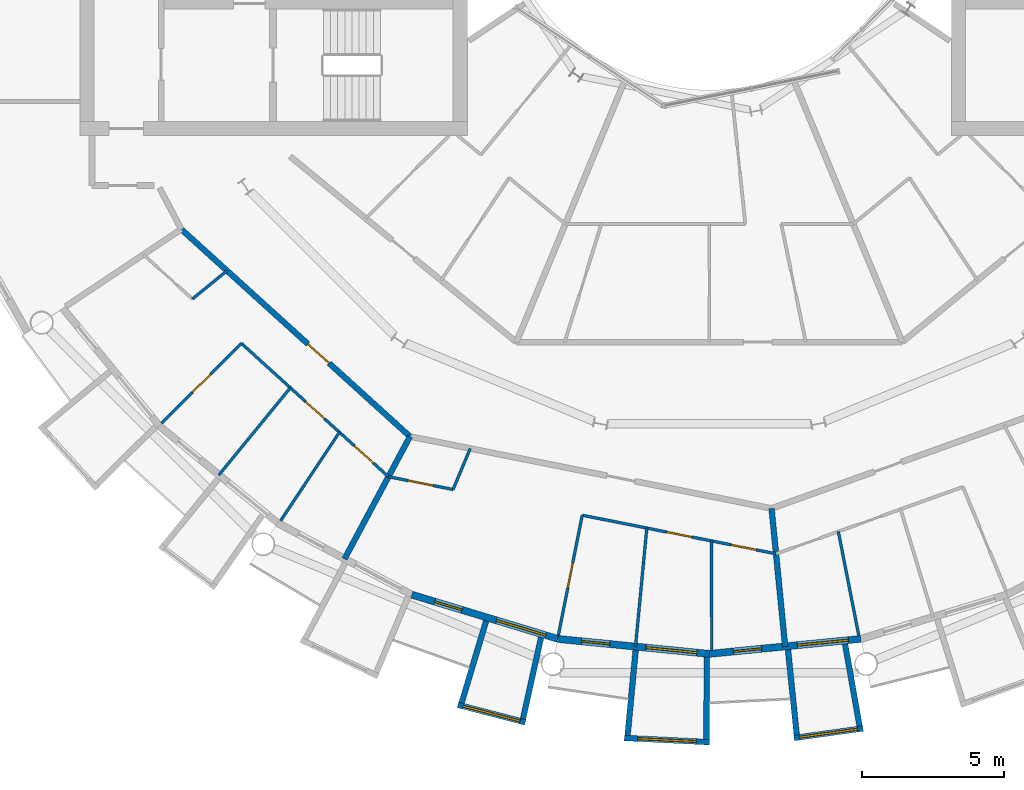
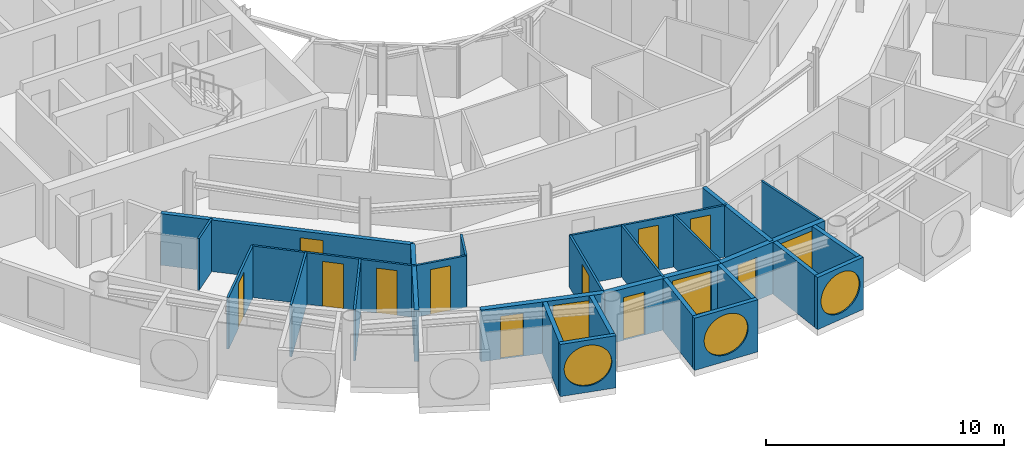
# One storey, part 14 of 26: 27 walls, 11 doors, 6 windows, 17 openings.
"""IFC4 building model written with IfcOpenShell, lengths in metres."""

from ifc_helpers import new_model, si_unit, direction, frame, frame_2d, origin, place, context, subcontext, project, spatial, rectangle, circle, extrude, material, layer, layer_set, type_object, element, fill, save


model = new_model("IFC4")

# Units and contexts
model_context = context("Model", 3, precision=1e-05, world=origin(), true_north=direction((0.0, 1.0)))
body_context = subcontext(model_context, "Body", "Model", "MODEL_VIEW")
ifc_project = project(units=[si_unit("LENGTHUNIT", "METRE"), si_unit("AREAUNIT", "SQUARE_METRE"), si_unit("VOLUMEUNIT", "CUBIC_METRE"), si_unit("PLANEANGLEUNIT", "RADIAN"), si_unit("MASSUNIT", "GRAM", prefix="KILO")], contexts=[model_context])

# Site, building, storey
site_placement = place(None, origin())
site = spatial("IfcSite", under=ifc_project, at=site_placement, CompositionType="ELEMENT")
building_placement = place(site_placement, origin())
building = spatial("IfcBuilding", under=site, at=building_placement, Name="Maasbend Ring Residences", CompositionType="ELEMENT")
storey_placement = place(building_placement, frame((0.0, 0.0, 176.85009765625)))
storey = spatial("IfcBuildingStorey", under=building, at=storey_placement, Name="L51", CompositionType="ELEMENT", Elevation=176.85009765625)

# Wall, opening, door
ifc_material_1 = material(Name="Concrete C30/37", Category="concrete")
ifc_layer_1 = layer(ifc_material_1, 0.199951171875)
ifc_layer_set_1 = layer_set([ifc_layer_1], Name="Concrete C30/37")
wall_type_1 = type_object("IfcWallType", Name="CORRIDOR WALL 200 CONCRETE", PredefinedType="PARTITIONING", material=ifc_layer_set_1)
wall_1_placement = place(storey_placement, frame((-18.5419921875, -12.388916015625, 0.0), z_axis=(0.0, 0.0, 1.0), x_axis=(0.740947367223, -0.671563101283, 0.0)))
wall_1 = element("IfcWall", 1, at=wall_1_placement, inside=storey, type_object=wall_type_1, Name="U-L51-w014", PredefinedType="PARTITIONING", context=body_context, shape_type="SweptSolid", body=[
    extrude(rectangle(XDim=10.83740234375, YDim=0.199951171875, at=frame_2d((5.418701171875, 0.0))), origin(), (0.0, 0.0, 1.0), 2.64990234375),
])
opening_1_placement = place(wall_1_placement, frame((6.001953125, 0.0, 0.0)))
opening_1 = element("IfcOpeningElement", 2, at=opening_1_placement, cuts=wall_1, Name="Opening D-5133", PredefinedType="OPENING", context=body_context, shape_type="SweptSolid", body=[
    extrude(rectangle(XDim=1.0, YDim=2.300048828125, at=frame_2d((0.5, 1.14990234375))), frame((0.0, 0.10986328125, 0.0), z_axis=(0.0, -1.0, 0.0), x_axis=(1.0, 0.0, 0.0)), (0.0, 0.0, 1.0), 0.219970703125),
])
ifc_material_2 = material(Name="Timber, fire-rated, painted", Category="wood")
door_type_1 = type_object("IfcDoorType", Name="FLAT ENTRANCE DOOR 1000 X 2300 FIRE-RATED", OperationType="NOTDEFINED", PredefinedType="DOOR", material=ifc_material_2)
door_1_placement = place(opening_1_placement, origin())
door_1 = element("IfcDoor", 3, at=door_1_placement, inside=storey, type_object=door_type_1, Name="D-5133", OperationType="SINGLE_SWING_RIGHT", OverallHeight=2.300048828125, OverallWidth=1.0, PredefinedType="DOOR", context=body_context, shape_type="SweptSolid", body=[
    extrude(rectangle(XDim=1.0, YDim=2.300048828125, at=frame_2d((0.5, 1.14990234375))), frame((0.0, 0.02490234375, 0.0), z_axis=(0.0, -1.0, 0.0), x_axis=(1.0, 0.0, 0.0)), (0.0, 0.0, 1.0), 0.050048828125),
])
fill(opening_1, door_1)

# Wall, opening, window
ifc_material_3 = material(Name="Pale anodised aluminium panel", Category="aluminium")
ifc_layer_2 = layer(ifc_material_3, 0.199951171875)
ifc_layer_set_2 = layer_set([ifc_layer_2], Name="EW-BOX")
wall_type_2 = type_object("IfcWallType", Name="EW-BOX", PredefinedType="SOLIDWALL", material=ifc_layer_set_2)
wall_2_placement = place(storey_placement, frame((-8.8291015625, -29.090087890625, -0.030029296875), z_axis=(0.0, 0.0, 1.0), x_axis=(0.96789536872, -0.251353446784, 0.0)))
wall_2 = element("IfcWall", 4, at=wall_2_placement, inside=storey, type_object=wall_type_2, Name="Box front S08", PredefinedType="SOLIDWALL", context=body_context, shape_type="SweptSolid", body=[
    extrude(rectangle(XDim=2.44677734375, YDim=0.199951171875, at=frame_2d((1.223388671875, 0.0))), origin(), (0.0, 0.0, 1.0), 2.679931640625),
])
opening_2_placement = place(wall_2_placement, frame((0.182861328125, 0.0, 0.330078125)))
opening_2 = element("IfcOpeningElement", 5, at=opening_2_placement, cuts=wall_2, Name="Opening W-RD", PredefinedType="OPENING", context=body_context, shape_type="SweptSolid", body=[
    extrude(circle(Radius=1.0400390625, at=frame_2d((1.0400390625, 1.0400390625))), frame((0.0, 0.10986328125, 0.0), z_axis=(0.0, -1.0, 0.0), x_axis=(1.0, 0.0, 0.0)), (0.0, 0.0, 1.0), 0.219970703125),
])
ifc_material_4 = material(Name="Aluminium and clear glass", Category="aluminium")
window_type_1 = type_object("IfcWindowType", Name="W-RD", PartitioningType="SINGLE_PANEL", PredefinedType="WINDOW", material=ifc_material_4)
window_1_placement = place(opening_2_placement, origin())
window_1 = element("IfcWindow", 6, at=window_1_placement, inside=storey, type_object=window_type_1, Name="Round window S08", OverallHeight=2.080078125, OverallWidth=2.080078125, PartitioningType="SINGLE_PANEL", PredefinedType="WINDOW", context=body_context, shape_type="SweptSolid", body=[
    extrude(circle(Radius=1.0400390625, at=frame_2d((1.0400390625, 1.0400390625))), frame((0.0, 0.030029296875, 0.0), z_axis=(0.0, -1.0, 0.0), x_axis=(1.0, 0.0, 0.0)), (0.0, 0.0, 1.0), 0.06005859375),
])
fill(opening_2, window_1)

# Walls
wall_3_placement = place(storey_placement, frame((-7.8369140625, -26.14404296875, -0.030029296875), z_axis=(0.0, 0.0, 1.0), x_axis=(-0.287064767992, -0.957911174889, 0.0)))
element("IfcWall", 7, at=wall_3_placement, inside=storey, type_object=wall_type_2, Name="Box side wall S08 left", PredefinedType="SOLIDWALL", context=body_context, shape_type="SweptSolid", body=[
    extrude(rectangle(XDim=3.00634765625, YDim=0.199951171875, at=frame_2d((1.503173828125, 0.0))), origin(), (0.0, 0.0, 1.0), 2.679931640625),
])
wall_4_placement = place(storey_placement, frame((-5.908935546875, -26.72900390625, -0.030029296875), z_axis=(0.0, 0.0, 1.0), x_axis=(-0.216409053917, -0.976302781612, 0.0)))
element("IfcWall", 8, at=wall_4_placement, inside=storey, type_object=wall_type_2, Name="Box side wall S08 right", PredefinedType="SOLIDWALL", context=body_context, shape_type="SweptSolid", body=[
    extrude(rectangle(XDim=2.92529296875, YDim=0.199951171875, at=frame_2d((1.462646484375, 0.0))), origin(), (0.0, 0.0, 1.0), 2.679931640625),
])

# Wall, opening, window
wall_5_placement = place(storey_placement, frame((-2.985107421875, -30.2529296875, -0.030029296875), z_axis=(0.0, 0.0, 1.0), x_axis=(0.998794083011, -0.049095618353, 0.0)))
wall_5 = element("IfcWall", 9, at=wall_5_placement, inside=storey, type_object=wall_type_2, Name="Box front S10", PredefinedType="SOLIDWALL", context=body_context, shape_type="SweptSolid", body=[
    extrude(rectangle(XDim=2.99365234375, YDim=0.199951171875, at=frame_2d((1.496826171875, 0.0))), origin(), (0.0, 0.0, 1.0), 2.679931640625),
])
opening_3_placement = place(wall_5_placement, frame((0.45654296875, 0.0, 0.330078125)))
opening_3 = element("IfcOpeningElement", 10, at=opening_3_placement, cuts=wall_5, Name="Opening W-RD", PredefinedType="OPENING", context=body_context, shape_type="SweptSolid", body=[
    extrude(circle(Radius=1.0400390625, at=frame_2d((1.0400390625, 1.0400390625))), frame((0.0, 0.10986328125, 0.0), z_axis=(0.0, -1.0, 0.0), x_axis=(1.0, 0.0, 0.0)), (0.0, 0.0, 1.0), 0.219970703125),
])
window_2_placement = place(opening_3_placement, origin())
window_2 = element("IfcWindow", 11, at=window_2_placement, inside=storey, type_object=window_type_1, Name="Round window S10", OverallHeight=2.080078125, OverallWidth=2.080078125, PartitioningType="SINGLE_PANEL", PredefinedType="WINDOW", context=body_context, shape_type="SweptSolid", body=[
    extrude(circle(Radius=1.0400390625, at=frame_2d((1.0400390625, 1.0400390625))), frame((0.0, 0.030029296875, 0.0), z_axis=(0.0, -1.0, 0.0), x_axis=(1.0, 0.0, 0.0)), (0.0, 0.0, 1.0), 0.06005859375),
])
fill(opening_3, window_2)

# Walls
wall_6_placement = place(storey_placement, frame((-2.5859375, -27.1708984375, -0.030029296875), z_axis=(0.0, 0.0, 1.0), x_axis=(-0.094548432284, -0.995520262954, 0.0)))
element("IfcWall", 12, at=wall_6_placement, inside=storey, type_object=wall_type_2, Name="Box side wall S10 left", PredefinedType="SOLIDWALL", context=body_context, shape_type="SweptSolid", body=[
    extrude(rectangle(XDim=3.005615234375, YDim=0.199951171875, at=frame_2d((1.5029296875, 0.0))), origin(), (0.0, 0.0, 1.0), 2.679931640625),
])
wall_7_placement = place(storey_placement, frame((-0.090087890625, -27.4169921875, -0.030029296875), z_axis=(0.0, 0.0, 1.0), x_axis=(-0.00347308367, -0.999993968827, 0.0)))
element("IfcWall", 13, at=wall_7_placement, inside=storey, type_object=wall_type_2, Name="Box side wall S10 right", PredefinedType="SOLIDWALL", context=body_context, shape_type="SweptSolid", body=[
    extrude(rectangle(XDim=2.882080078125, YDim=0.199951171875, at=frame_2d((1.44091796875, 0.0))), origin(), (0.0, 0.0, 1.0), 2.679931640625),
])

# Wall, opening, window
wall_8_placement = place(storey_placement, frame((2.97607421875, -30.25390625, -0.030029296875), z_axis=(0.0, 0.0, 1.0), x_axis=(0.990462016113, 0.137786046596, 0.0)))
wall_8 = element("IfcWall", 14, at=wall_8_placement, inside=storey, type_object=wall_type_2, Name="Box front S12", PredefinedType="SOLIDWALL", context=body_context, shape_type="SweptSolid", body=[
    extrude(rectangle(XDim=2.4453125, YDim=0.199951171875, at=frame_2d((1.22265625, 0.0))), origin(), (0.0, 0.0, 1.0), 2.679931640625),
])
opening_4_placement = place(wall_8_placement, frame((0.182861328125, 0.0, 0.330078125)))
opening_4 = element("IfcOpeningElement", 15, at=opening_4_placement, cuts=wall_8, Name="Opening W-RD", PredefinedType="OPENING", context=body_context, shape_type="SweptSolid", body=[
    extrude(circle(Radius=1.0400390625, at=frame_2d((1.0400390625, 1.0400390625))), frame((0.0, 0.10986328125, 0.0), z_axis=(0.0, -1.0, 0.0), x_axis=(1.0, 0.0, 0.0)), (0.0, 0.0, 1.0), 0.219970703125),
])
window_3_placement = place(opening_4_placement, origin())
window_3 = element("IfcWindow", 16, at=window_3_placement, inside=storey, type_object=window_type_1, Name="Round window S12", OverallHeight=2.080078125, OverallWidth=2.080078125, PartitioningType="SINGLE_PANEL", PredefinedType="WINDOW", context=body_context, shape_type="SweptSolid", body=[
    extrude(circle(Radius=1.0400390625, at=frame_2d((1.0400390625, 1.0400390625))), frame((0.0, 0.030029296875, 0.0), z_axis=(0.0, -1.0, 0.0), x_axis=(1.0, 0.0, 0.0)), (0.0, 0.0, 1.0), 0.06005859375),
])
fill(opening_4, window_3)

# Walls
wall_9_placement = place(storey_placement, frame((2.763916015625, -27.153076171875, -0.030029296875), z_axis=(0.0, 0.0, 1.0), x_axis=(0.101505487237, -0.994834979311, 0.0)))
element("IfcWall", 17, at=wall_9_placement, inside=storey, type_object=wall_type_2, Name="Box side wall S12 left", PredefinedType="SOLIDWALL", context=body_context, shape_type="SweptSolid", body=[
    extrude(rectangle(XDim=3.006591796875, YDim=0.199951171875, at=frame_2d((1.50341796875, 0.0))), origin(), (0.0, 0.0, 1.0), 2.679931640625),
])
wall_10_placement = place(storey_placement, frame((4.76904296875, -26.9560546875, -0.030029296875), z_axis=(0.0, 0.0, 1.0), x_axis=(0.174056778901, -0.984735618183, 0.0)))
element("IfcWall", 18, at=wall_10_placement, inside=storey, type_object=wall_type_2, Name="Box side wall S12 right", PredefinedType="SOLIDWALL", context=body_context, shape_type="SweptSolid", body=[
    extrude(rectangle(XDim=2.924560546875, YDim=0.199951171875, at=frame_2d((1.46240234375, 0.0))), origin(), (0.0, 0.0, 1.0), 2.679931640625),
])

# Wall, openings, door, window
ifc_material_5 = material(Name="Aluminium clad insulated panel", Category="aluminium")
ifc_layer_3 = layer(ifc_material_5, 0.25)
ifc_layer_set_3 = layer_set([ifc_layer_3], Name="EW-GL")
wall_type_3 = type_object("IfcWallType", Name="EW-GL", PredefinedType="SOLIDWALL", material=ifc_layer_set_3)
wall_11_placement = place(storey_placement, frame((-10.447021484375, -25.221923828125, 0.0), z_axis=(0.0, 0.0, 1.0), x_axis=(0.956965678721, -0.290201119486, 0.0)))
wall_11 = element("IfcWall", 19, at=wall_11_placement, inside=storey, type_object=wall_type_3, Name="External wall S04", PredefinedType="SOLIDWALL", context=body_context, shape_type="SweptSolid", body=[
    extrude(rectangle(XDim=5.351318359375, YDim=0.25, at=frame_2d((2.67578125, 0.0))), origin(), (0.0, 0.0, 1.0), 2.64990234375),
])
opening_5_placement = place(wall_11_placement, frame((0.841064453125, 0.0, 0.0)))
opening_5 = element("IfcOpeningElement", 20, at=opening_5_placement, cuts=wall_11, Name="Opening D-LG", PredefinedType="OPENING", context=body_context, shape_type="SweptSolid", body=[
    extrude(rectangle(XDim=1.0, YDim=2.199951171875, at=frame_2d((0.5, 1.10009765625))), frame((0.0, 0.135009765625, 0.0), z_axis=(0.0, -1.0, 0.0), x_axis=(1.0, 0.0, 0.0)), (0.0, 0.0, 1.0), 0.27001953125),
])
opening_6_placement = place(wall_11_placement, frame((3.110595703125, 0.0, 0.300048828125)))
opening_6 = element("IfcOpeningElement", 21, at=opening_6_placement, cuts=wall_11, Name="Opening W-BX", PredefinedType="OPENING", context=body_context, shape_type="SweptSolid", body=[
    extrude(rectangle(XDim=1.800048828125, YDim=2.10009765625, at=frame_2d((0.89990234375, 1.050048828125))), frame((0.0, 0.135009765625, 0.0), z_axis=(0.0, -1.0, 0.0), x_axis=(1.0, 0.0, 0.0)), (0.0, 0.0, 1.0), 0.27001953125),
])
ifc_material_6 = material(Name="Aluminium and clear glass", Category="aluminium")
door_type_2 = type_object("IfcDoorType", Name="D-LG", OperationType="SINGLE_SWING_LEFT", PredefinedType="DOOR", material=ifc_material_6)
door_2_placement = place(opening_5_placement, origin())
door_2 = element("IfcDoor", 22, at=door_2_placement, inside=storey, type_object=door_type_2, Name="Loggia door S07", OperationType="SINGLE_SWING_LEFT", OverallHeight=2.199951171875, OverallWidth=1.0, PredefinedType="DOOR", context=body_context, shape_type="SweptSolid", body=[
    extrude(rectangle(XDim=1.0, YDim=2.199951171875, at=frame_2d((0.5, 1.10009765625))), frame((0.0, 0.02490234375, 0.0), z_axis=(0.0, -1.0, 0.0), x_axis=(1.0, 0.0, 0.0)), (0.0, 0.0, 1.0), 0.050048828125),
])
fill(opening_5, door_2)
ifc_material_7 = material(Name="Aluminium and clear glass", Category="aluminium")
window_type_2 = type_object("IfcWindowType", Name="W-BX", PartitioningType="DOUBLE_PANEL_VERTICAL", PredefinedType="WINDOW", material=ifc_material_7)
window_4_placement = place(opening_6_placement, origin())
window_4 = element("IfcWindow", 23, at=window_4_placement, inside=storey, type_object=window_type_2, Name="Window S08 room to box", OverallHeight=2.10009765625, OverallWidth=1.800048828125, PartitioningType="SINGLE_PANEL", PredefinedType="WINDOW", context=body_context, shape_type="SweptSolid", body=[
    extrude(rectangle(XDim=1.800048828125, YDim=2.10009765625, at=frame_2d((0.89990234375, 1.050048828125))), frame((0.0, 0.030029296875, 0.0), z_axis=(0.0, -1.0, 0.0), x_axis=(1.0, 0.0, 0.0)), (0.0, 0.0, 1.0), 0.06005859375),
])
fill(opening_6, window_4)

wall_12_placement = place(storey_placement, frame((-5.325927734375, -26.77490234375, 0.0), z_axis=(0.0, 0.0, 1.0), x_axis=(0.995173996315, -0.098126026407, 0.0)))
wall_12 = element("IfcWall", 24, at=wall_12_placement, inside=storey, type_object=wall_type_3, Name="External wall S05", PredefinedType="SOLIDWALL", context=body_context, shape_type="SweptSolid", body=[
    extrude(rectangle(XDim=5.351806640625, YDim=0.25, at=frame_2d((2.67578125, 0.0))), origin(), (0.0, 0.0, 1.0), 2.64990234375),
])
opening_7_placement = place(wall_12_placement, frame((0.841064453125, 0.0, 0.0)))
opening_7 = element("IfcOpeningElement", 25, at=opening_7_placement, cuts=wall_12, Name="Opening D-LG", PredefinedType="OPENING", context=body_context, shape_type="SweptSolid", body=[
    extrude(rectangle(XDim=1.0, YDim=2.199951171875, at=frame_2d((0.5, 1.10009765625))), frame((0.0, 0.135009765625, 0.0), z_axis=(0.0, -1.0, 0.0), x_axis=(1.0, 0.0, 0.0)), (0.0, 0.0, 1.0), 0.27001953125),
])
opening_8_placement = place(wall_12_placement, frame((3.110595703125, 0.0, 0.300048828125)))
opening_8 = element("IfcOpeningElement", 26, at=opening_8_placement, cuts=wall_12, Name="Opening W-BX", PredefinedType="OPENING", context=body_context, shape_type="SweptSolid", body=[
    extrude(rectangle(XDim=1.800048828125, YDim=2.10009765625, at=frame_2d((0.89990234375, 1.050048828125))), frame((0.0, 0.135009765625, 0.0), z_axis=(0.0, -1.0, 0.0), x_axis=(1.0, 0.0, 0.0)), (0.0, 0.0, 1.0), 0.27001953125),
])
door_3_placement = place(opening_7_placement, origin())
door_3 = element("IfcDoor", 27, at=door_3_placement, inside=storey, type_object=door_type_2, Name="Loggia door S09", OperationType="SINGLE_SWING_LEFT", OverallHeight=2.199951171875, OverallWidth=1.0, PredefinedType="DOOR", context=body_context, shape_type="SweptSolid", body=[
    extrude(rectangle(XDim=1.0, YDim=2.199951171875, at=frame_2d((0.5, 1.10009765625))), frame((0.0, 0.02490234375, 0.0), z_axis=(0.0, -1.0, 0.0), x_axis=(1.0, 0.0, 0.0)), (0.0, 0.0, 1.0), 0.050048828125),
])
fill(opening_7, door_3)
window_5_placement = place(opening_8_placement, origin())
window_5 = element("IfcWindow", 28, at=window_5_placement, inside=storey, type_object=window_type_2, Name="Window S10 room to box", OverallHeight=2.10009765625, OverallWidth=1.800048828125, PartitioningType="SINGLE_PANEL", PredefinedType="WINDOW", context=body_context, shape_type="SweptSolid", body=[
    extrude(rectangle(XDim=1.800048828125, YDim=2.10009765625, at=frame_2d((0.89990234375, 1.050048828125))), frame((0.0, 0.030029296875, 0.0), z_axis=(0.0, -1.0, 0.0), x_axis=(1.0, 0.0, 0.0)), (0.0, 0.0, 1.0), 0.06005859375),
])
fill(opening_8, window_5)

wall_13_placement = place(storey_placement, frame((0.0, -27.300048828125, 0.0), z_axis=(0.0, 0.0, 1.0), x_axis=(0.995173996315, 0.098126026407, 0.0)))
wall_13 = element("IfcWall", 29, at=wall_13_placement, inside=storey, type_object=wall_type_3, Name="External wall S06", PredefinedType="SOLIDWALL", context=body_context, shape_type="SweptSolid", body=[
    extrude(rectangle(XDim=5.351806640625, YDim=0.25, at=frame_2d((2.67578125, 0.0))), origin(), (0.0, 0.0, 1.0), 2.64990234375),
])
opening_9_placement = place(wall_13_placement, frame((0.841064453125, 0.0, 0.0)))
opening_9 = element("IfcOpeningElement", 30, at=opening_9_placement, cuts=wall_13, Name="Opening D-LG", PredefinedType="OPENING", context=body_context, shape_type="SweptSolid", body=[
    extrude(rectangle(XDim=1.0, YDim=2.199951171875, at=frame_2d((0.5, 1.10009765625))), frame((0.0, 0.135009765625, 0.0), z_axis=(0.0, -1.0, 0.0), x_axis=(1.0, 0.0, 0.0)), (0.0, 0.0, 1.0), 0.27001953125),
])
opening_10_placement = place(wall_13_placement, frame((3.110595703125, 0.0, 0.300048828125)))
opening_10 = element("IfcOpeningElement", 31, at=opening_10_placement, cuts=wall_13, Name="Opening W-BX", PredefinedType="OPENING", context=body_context, shape_type="SweptSolid", body=[
    extrude(rectangle(XDim=1.800048828125, YDim=2.10009765625, at=frame_2d((0.89990234375, 1.050048828125))), frame((0.0, 0.135009765625, 0.0), z_axis=(0.0, -1.0, 0.0), x_axis=(1.0, 0.0, 0.0)), (0.0, 0.0, 1.0), 0.27001953125),
])
door_4_placement = place(opening_9_placement, origin())
door_4 = element("IfcDoor", 32, at=door_4_placement, inside=storey, type_object=door_type_2, Name="Loggia door S11", OperationType="SINGLE_SWING_LEFT", OverallHeight=2.199951171875, OverallWidth=1.0, PredefinedType="DOOR", context=body_context, shape_type="SweptSolid", body=[
    extrude(rectangle(XDim=1.0, YDim=2.199951171875, at=frame_2d((0.5, 1.10009765625))), frame((0.0, 0.02490234375, 0.0), z_axis=(0.0, -1.0, 0.0), x_axis=(1.0, 0.0, 0.0)), (0.0, 0.0, 1.0), 0.050048828125),
])
fill(opening_9, door_4)
window_6_placement = place(opening_10_placement, origin())
window_6 = element("IfcWindow", 33, at=window_6_placement, inside=storey, type_object=window_type_2, Name="Window S12 room to box", OverallHeight=2.10009765625, OverallWidth=1.800048828125, PartitioningType="SINGLE_PANEL", PredefinedType="WINDOW", context=body_context, shape_type="SweptSolid", body=[
    extrude(rectangle(XDim=1.800048828125, YDim=2.10009765625, at=frame_2d((0.89990234375, 1.050048828125))), frame((0.0, 0.030029296875, 0.0), z_axis=(0.0, -1.0, 0.0), x_axis=(1.0, 0.0, 0.0)), (0.0, 0.0, 1.0), 0.06005859375),
])
fill(opening_10, window_6)

# Wall, openings, doors
ifc_material_8 = material(Name="Gypsum board on steel studs", Category="steel")
ifc_layer_4 = layer(ifc_material_8, 0.10009765625)
ifc_layer_set_4 = layer_set([ifc_layer_4], Name="PARTITION 100 GYPSUM")
wall_type_4 = type_object("IfcWallType", Name="PARTITION 100 GYPSUM", PredefinedType="PARTITIONING", material=ifc_layer_set_4)
wall_14_placement = place(storey_placement, frame((-16.431884765625, -16.39599609375, 0.0), z_axis=(0.0, 0.0, 1.0), x_axis=(0.740901429238, -0.671613781986, 0.0)))
wall_14 = element("IfcWall", 34, at=wall_14_placement, inside=storey, type_object=wall_type_4, Name="U-L51-w004", PredefinedType="PARTITIONING", context=body_context, shape_type="SweptSolid", body=[
    extrude(rectangle(XDim=6.9697265625, YDim=0.10009765625, at=frame_2d((3.48486328125, 0.0))), origin(), (0.0, 0.0, 1.0), 2.64990234375),
])
opening_11_placement = place(wall_14_placement, frame((3.0380859375, 0.0, 0.0)))
opening_11 = element("IfcOpeningElement", 35, at=opening_11_placement, cuts=wall_14, Name="Opening D-5136", PredefinedType="OPENING", context=body_context, shape_type="SweptSolid", body=[
    extrude(rectangle(XDim=0.89990234375, YDim=2.300048828125, at=frame_2d((0.449951171875, 1.14990234375))), frame((0.0, 0.06005859375, 0.0), z_axis=(0.0, -1.0, 0.0), x_axis=(1.0, 0.0, 0.0)), (0.0, 0.0, 1.0), 0.1201171875),
])
opening_12_placement = place(wall_14_placement, frame((5.360107421875, 0.0, 0.0)))
opening_12 = element("IfcOpeningElement", 36, at=opening_12_placement, cuts=wall_14, Name="Opening D-5137", PredefinedType="OPENING", context=body_context, shape_type="SweptSolid", body=[
    extrude(rectangle(XDim=0.89990234375, YDim=2.300048828125, at=frame_2d((0.449951171875, 1.14990234375))), frame((0.0, 0.06005859375, 0.0), z_axis=(0.0, -1.0, 0.0), x_axis=(1.0, 0.0, 0.0)), (0.0, 0.0, 1.0), 0.1201171875),
])
ifc_material_9 = material(Name="Timber, painted", Category="wood")
door_type_3 = type_object("IfcDoorType", Name="INTERNAL DOOR 900 X 2300", OperationType="NOTDEFINED", PredefinedType="DOOR", material=ifc_material_9)
door_5_placement = place(opening_11_placement, origin())
door_5 = element("IfcDoor", 37, at=door_5_placement, inside=storey, type_object=door_type_3, Name="D-5136", OperationType="SINGLE_SWING_RIGHT", OverallHeight=2.300048828125, OverallWidth=0.89990234375, PredefinedType="DOOR", context=body_context, shape_type="SweptSolid", body=[
    extrude(rectangle(XDim=0.89990234375, YDim=2.300048828125, at=frame_2d((0.449951171875, 1.14990234375))), frame((0.0, 0.02490234375, 0.0), z_axis=(0.0, -1.0, 0.0), x_axis=(1.0, 0.0, 0.0)), (0.0, 0.0, 1.0), 0.050048828125),
])
fill(opening_11, door_5)
door_6_placement = place(opening_12_placement, origin())
door_6 = element("IfcDoor", 38, at=door_6_placement, inside=storey, type_object=door_type_3, Name="D-5137", OperationType="SINGLE_SWING_RIGHT", OverallHeight=2.300048828125, OverallWidth=0.89990234375, PredefinedType="DOOR", context=body_context, shape_type="SweptSolid", body=[
    extrude(rectangle(XDim=0.89990234375, YDim=2.300048828125, at=frame_2d((0.449951171875, 1.14990234375))), frame((0.0, 0.02490234375, 0.0), z_axis=(0.0, -1.0, 0.0), x_axis=(1.0, 0.0, 0.0)), (0.0, 0.0, 1.0), 0.050048828125),
])
fill(opening_12, door_6)

# Wall, opening, door
wall_15_placement = place(storey_placement, frame((-11.26806640625, -21.076904296875, 0.0), z_axis=(0.0, 0.0, 1.0), x_axis=(0.980783177308, -0.19510089469, 0.0)))
wall_15 = element("IfcWall", 39, at=wall_15_placement, inside=storey, type_object=wall_type_4, Name="U-L51-w007", PredefinedType="PARTITIONING", context=body_context, shape_type="SweptSolid", body=[
    extrude(rectangle(XDim=2.3125, YDim=0.10009765625, at=frame_2d((1.15625, 0.0))), origin(), (0.0, 0.0, 1.0), 2.64990234375),
])
opening_13_placement = place(wall_15_placement, frame((0.7080078125, 0.0, 0.0)))
opening_13 = element("IfcOpeningElement", 40, at=opening_13_placement, cuts=wall_15, Name="Opening D-5139", PredefinedType="OPENING", context=body_context, shape_type="SweptSolid", body=[
    extrude(rectangle(XDim=0.89990234375, YDim=2.300048828125, at=frame_2d((0.449951171875, 1.14990234375))), frame((0.0, 0.06005859375, 0.0), z_axis=(0.0, -1.0, 0.0), x_axis=(1.0, 0.0, 0.0)), (0.0, 0.0, 1.0), 0.1201171875),
])
door_7_placement = place(opening_13_placement, origin())
door_7 = element("IfcDoor", 41, at=door_7_placement, inside=storey, type_object=door_type_3, Name="D-5139", OperationType="SINGLE_SWING_RIGHT", OverallHeight=2.300048828125, OverallWidth=0.89990234375, PredefinedType="DOOR", context=body_context, shape_type="SweptSolid", body=[
    extrude(rectangle(XDim=0.89990234375, YDim=2.300048828125, at=frame_2d((0.449951171875, 1.14990234375))), frame((0.0, 0.02490234375, 0.0), z_axis=(0.0, -1.0, 0.0), x_axis=(1.0, 0.0, 0.0)), (0.0, 0.0, 1.0), 0.050048828125),
])
fill(opening_13, door_7)

# Wall, openings, doors
wall_16_placement = place(storey_placement, frame((-4.4619140625, -22.430908203125, 0.0), z_axis=(0.0, 0.0, 1.0), x_axis=(0.980773728025, -0.195148390759, 0.0)))
wall_16 = element("IfcWall", 42, at=wall_16_placement, inside=storey, type_object=wall_type_4, Name="U-L51-w008", PredefinedType="PARTITIONING", context=body_context, shape_type="SweptSolid", body=[
    extrude(rectangle(XDim=6.938232421875, YDim=0.10009765625, at=frame_2d((3.46923828125, 0.0))), origin(), (0.0, 0.0, 1.0), 2.64990234375),
])
opening_14_placement = place(wall_16_placement, frame((3.01806640625, 0.0, 0.0)))
opening_14 = element("IfcOpeningElement", 43, at=opening_14_placement, cuts=wall_16, Name="Opening D-5141", PredefinedType="OPENING", context=body_context, shape_type="SweptSolid", body=[
    extrude(rectangle(XDim=0.89990234375, YDim=2.300048828125, at=frame_2d((0.449951171875, 1.14990234375))), frame((0.0, 0.06005859375, 0.0), z_axis=(0.0, -1.0, 0.0), x_axis=(1.0, 0.0, 0.0)), (0.0, 0.0, 1.0), 0.1201171875),
])
opening_15_placement = place(wall_16_placement, frame((5.33203125, 0.0, 0.0)))
opening_15 = element("IfcOpeningElement", 44, at=opening_15_placement, cuts=wall_16, Name="Opening D-5142", PredefinedType="OPENING", context=body_context, shape_type="SweptSolid", body=[
    extrude(rectangle(XDim=0.89990234375, YDim=2.300048828125, at=frame_2d((0.449951171875, 1.14990234375))), frame((0.0, 0.06005859375, 0.0), z_axis=(0.0, -1.0, 0.0), x_axis=(1.0, 0.0, 0.0)), (0.0, 0.0, 1.0), 0.1201171875),
])
door_8_placement = place(opening_14_placement, origin())
door_8 = element("IfcDoor", 45, at=door_8_placement, inside=storey, type_object=door_type_3, Name="D-5141", OperationType="SINGLE_SWING_LEFT", OverallHeight=2.300048828125, OverallWidth=0.89990234375, PredefinedType="DOOR", context=body_context, shape_type="SweptSolid", body=[
    extrude(rectangle(XDim=0.89990234375, YDim=2.300048828125, at=frame_2d((0.449951171875, 1.14990234375))), frame((0.0, 0.02490234375, 0.0), z_axis=(0.0, -1.0, 0.0), x_axis=(1.0, 0.0, 0.0)), (0.0, 0.0, 1.0), 0.050048828125),
])
fill(opening_14, door_8)
door_9_placement = place(opening_15_placement, origin())
door_9 = element("IfcDoor", 46, at=door_9_placement, inside=storey, type_object=door_type_3, Name="D-5142", OperationType="SINGLE_SWING_RIGHT", OverallHeight=2.300048828125, OverallWidth=0.89990234375, PredefinedType="DOOR", context=body_context, shape_type="SweptSolid", body=[
    extrude(rectangle(XDim=0.89990234375, YDim=2.300048828125, at=frame_2d((0.449951171875, 1.14990234375))), frame((0.0, 0.02490234375, 0.0), z_axis=(0.0, -1.0, 0.0), x_axis=(1.0, 0.0, 0.0)), (0.0, 0.0, 1.0), 0.050048828125),
])
fill(opening_15, door_9)

# Wall, opening, door
wall_17_placement = place(storey_placement, frame((-19.23388671875, -19.197021484375, 0.0), z_axis=(0.0, 0.0, 1.0), x_axis=(0.707722727509, 0.706490297858, 0.0)))
wall_17 = element("IfcWall", 47, at=wall_17_placement, inside=storey, type_object=wall_type_4, Name="U-L51-w035", PredefinedType="PARTITIONING", context=body_context, shape_type="SweptSolid", body=[
    extrude(rectangle(XDim=3.9619140625, YDim=0.10009765625, at=frame_2d((1.98095703125, 0.0))), origin(), (0.0, 0.0, 1.0), 2.64990234375),
])
opening_16_placement = place(wall_17_placement, frame((1.531005859375, 0.0, 0.0)))
opening_16 = element("IfcOpeningElement", 48, at=opening_16_placement, cuts=wall_17, Name="Opening D-5135", PredefinedType="OPENING", context=body_context, shape_type="SweptSolid", body=[
    extrude(rectangle(XDim=0.89990234375, YDim=2.300048828125, at=frame_2d((0.449951171875, 1.14990234375))), frame((0.0, 0.06005859375, 0.0), z_axis=(0.0, -1.0, 0.0), x_axis=(1.0, 0.0, 0.0)), (0.0, 0.0, 1.0), 0.1201171875),
])
door_10_placement = place(opening_16_placement, origin())
door_10 = element("IfcDoor", 49, at=door_10_placement, inside=storey, type_object=door_type_3, Name="D-5135", OperationType="SINGLE_SWING_LEFT", OverallHeight=2.300048828125, OverallWidth=0.89990234375, PredefinedType="DOOR", context=body_context, shape_type="SweptSolid", body=[
    extrude(rectangle(XDim=0.89990234375, YDim=2.300048828125, at=frame_2d((0.449951171875, 1.14990234375))), frame((0.0, 0.02490234375, 0.0), z_axis=(0.0, -1.0, 0.0), x_axis=(1.0, 0.0, 0.0)), (0.0, 0.0, 1.0), 0.050048828125),
])
fill(opening_16, door_10)

# Walls
wall_18_placement = place(storey_placement, frame((-18.15087890625, -14.837890625, 0.0), z_axis=(0.0, 0.0, 1.0), x_axis=(0.774283039722, 0.632839453889, 0.0)))
element("IfcWall", 50, at=wall_18_placement, inside=storey, type_object=wall_type_4, Name="U-L51-w037", PredefinedType="PARTITIONING", context=body_context, shape_type="SweptSolid", body=[
    extrude(rectangle(XDim=1.569091796875, YDim=0.10009765625, at=frame_2d((0.78466796875, 0.0))), origin(), (0.0, 0.0, 1.0), 2.64990234375),
])
wall_19_placement = place(storey_placement, frame((-17.222900390625, -21.02001953125, 0.0), z_axis=(0.0, 0.0, 1.0), x_axis=(0.633858457021, 0.773449065203, 0.0)))
element("IfcWall", 51, at=wall_19_placement, inside=storey, type_object=wall_type_4, Name="U-L51-w039", PredefinedType="PARTITIONING", context=body_context, shape_type="SweptSolid", body=[
    extrude(rectangle(XDim=3.96142578125, YDim=0.10009765625, at=frame_2d((1.980712890625, 0.0))), origin(), (0.0, 0.0, 1.0), 2.64990234375),
])
wall_20_placement = place(storey_placement, frame((-15.053955078125, -22.6240234375, 0.0), z_axis=(0.0, 0.0, 1.0), x_axis=(0.553823887887, 0.83263383381, 0.0)))
element("IfcWall", 52, at=wall_20_placement, inside=storey, type_object=wall_type_4, Name="U-L51-w040", PredefinedType="PARTITIONING", context=body_context, shape_type="SweptSolid", body=[
    extrude(rectangle(XDim=3.730224609375, YDim=0.10009765625, at=frame_2d((1.865234375, 0.0))), origin(), (0.0, 0.0, 1.0), 2.64990234375),
])
wall_21_placement = place(storey_placement, frame((-8.998046875, -21.529052734375, 0.0), z_axis=(0.0, 0.0, 1.0), x_axis=(0.385469858593, 0.922720427929, 0.0)))
element("IfcWall", 53, at=wall_21_placement, inside=storey, type_object=wall_type_4, Name="U-L51-w048", PredefinedType="PARTITIONING", context=body_context, shape_type="SweptSolid", body=[
    extrude(rectangle(XDim=1.561767578125, YDim=0.10009765625, at=frame_2d((0.78076171875, 0.0))), origin(), (0.0, 0.0, 1.0), 2.64990234375),
])

# Wall, opening, door
wall_22_placement = place(storey_placement, frame((-5.302001953125, -26.653076171875, 0.0), z_axis=(0.0, 0.0, 1.0), x_axis=(0.195145394338, 0.98077432423, 0.0)))
wall_22 = element("IfcWall", 54, at=wall_22_placement, inside=storey, type_object=wall_type_4, Name="U-L51-w053", PredefinedType="PARTITIONING", context=body_context, shape_type="SweptSolid", body=[
    extrude(rectangle(XDim=4.304931640625, YDim=0.10009765625, at=frame_2d((2.15234375, 0.0))), origin(), (0.0, 0.0, 1.0), 2.64990234375),
])
opening_17_placement = place(wall_22_placement, frame((1.701904296875, 0.0, 0.0)))
opening_17 = element("IfcOpeningElement", 55, at=opening_17_placement, cuts=wall_22, Name="Opening D-5140", PredefinedType="OPENING", context=body_context, shape_type="SweptSolid", body=[
    extrude(rectangle(XDim=0.89990234375, YDim=2.300048828125, at=frame_2d((0.449951171875, 1.14990234375))), frame((0.0, 0.06005859375, 0.0), z_axis=(0.0, -1.0, 0.0), x_axis=(1.0, 0.0, 0.0)), (0.0, 0.0, 1.0), 0.1201171875),
])
door_11_placement = place(opening_17_placement, origin())
door_11 = element("IfcDoor", 56, at=door_11_placement, inside=storey, type_object=door_type_3, Name="D-5140", OperationType="SINGLE_SWING_RIGHT", OverallHeight=2.300048828125, OverallWidth=0.89990234375, PredefinedType="DOOR", context=body_context, shape_type="SweptSolid", body=[
    extrude(rectangle(XDim=0.89990234375, YDim=2.300048828125, at=frame_2d((0.449951171875, 1.14990234375))), frame((0.0, 0.02490234375, 0.0), z_axis=(0.0, -1.0, 0.0), x_axis=(1.0, 0.0, 0.0)), (0.0, 0.0, 1.0), 0.050048828125),
])
fill(opening_17, door_11)

# Walls
wall_23_placement = place(storey_placement, frame((-2.593017578125, -27.051025390625, 0.0), z_axis=(0.0, 0.0, 1.0), x_axis=(0.095276864271, 0.995450812012, 0.0)))
element("IfcWall", 57, at=wall_23_placement, inside=storey, type_object=wall_type_4, Name="U-L51-w058", PredefinedType="PARTITIONING", context=body_context, shape_type="SweptSolid", body=[
    extrude(rectangle(XDim=4.18701171875, YDim=0.10009765625, at=frame_2d((2.093505859375, 0.0))), origin(), (0.0, 0.0, 1.0), 2.64990234375),
])
wall_24_placement = place(storey_placement, frame((0.0869140625, -27.175048828125, 0.0), z_axis=(0.0, 0.0, 1.0), x_axis=(-0.003368696325, 0.999994325926, 0.0)))
element("IfcWall", 58, at=wall_24_placement, inside=storey, type_object=wall_type_4, Name="U-L51-w063", PredefinedType="PARTITIONING", context=body_context, shape_type="SweptSolid", body=[
    extrude(rectangle(XDim=3.841064453125, YDim=0.10009765625, at=frame_2d((1.92041015625, 0.0))), origin(), (0.0, 0.0, 1.0), 2.64990234375),
])
wall_25_placement = place(storey_placement, frame((4.530029296875, -23.001953125, 0.0), z_axis=(0.0, 0.0, 1.0), x_axis=(0.193208762378, -0.981157670377, 0.0)))
element("IfcWall", 59, at=wall_25_placement, inside=storey, type_object=wall_type_4, Name="U-L51-w072", PredefinedType="PARTITIONING", context=body_context, shape_type="SweptSolid", body=[
    extrude(rectangle(XDim=3.7314453125, YDim=0.10009765625, at=frame_2d((1.86572265625, 0.0))), origin(), (0.0, 0.0, 1.0), 2.64990234375),
])
ifc_material_10 = material(Name="Concrete C30/37", Category="concrete")
ifc_layer_5 = layer(ifc_material_10, 0.199951171875)
ifc_layer_set_5 = layer_set([ifc_layer_5], Name="Concrete C30/37")
wall_type_5 = type_object("IfcWallType", Name="PARTY WALL 200 CONCRETE", PredefinedType="PARTITIONING", material=ifc_layer_set_5)
wall_26_placement = place(storey_placement, frame((-12.81005859375, -23.966064453125, 0.0), z_axis=(0.0, 0.0, 1.0), x_axis=(0.471427642527, 0.881904744211, 0.0)))
element("IfcWall", 60, at=wall_26_placement, inside=storey, type_object=wall_type_5, Name="U-L51-w042", PredefinedType="PARTITIONING", context=body_context, shape_type="SweptSolid", body=[
    extrude(rectangle(XDim=4.874755859375, YDim=0.199951171875, at=frame_2d((2.4375, 0.0))), origin(), (0.0, 0.0, 1.0), 2.64990234375),
])
wall_27_placement = place(storey_placement, frame((2.18603515625, -22.193115234375, 0.0), z_axis=(0.0, 0.0, 1.0), x_axis=(0.098070432075, -0.995179476453, 0.0)))
element("IfcWall", 61, at=wall_27_placement, inside=storey, type_object=wall_type_5, Name="U-L51-w066", PredefinedType="PARTITIONING", context=body_context, shape_type="SweptSolid", body=[
    extrude(rectangle(XDim=4.874267578125, YDim=0.199951171875, at=frame_2d((2.43701171875, 0.0))), origin(), (0.0, 0.0, 1.0), 2.64990234375),
])

save(model, "model.ifc")
